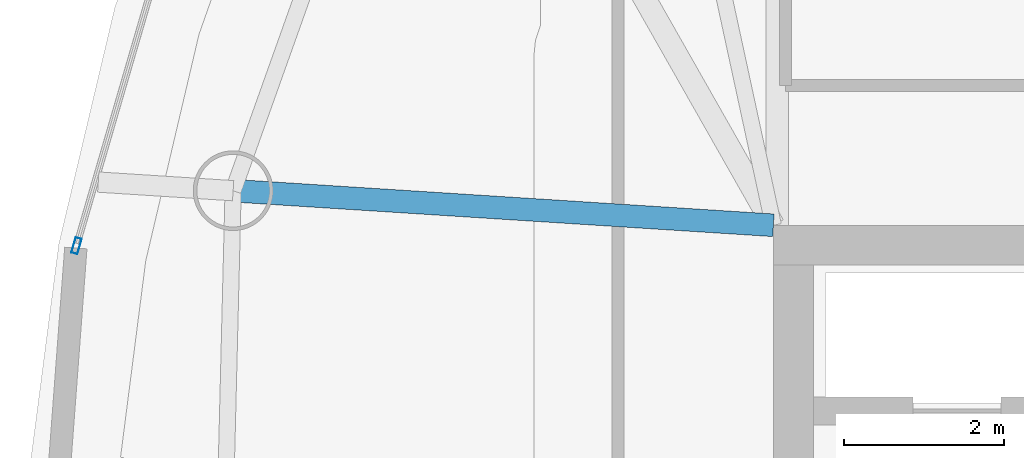
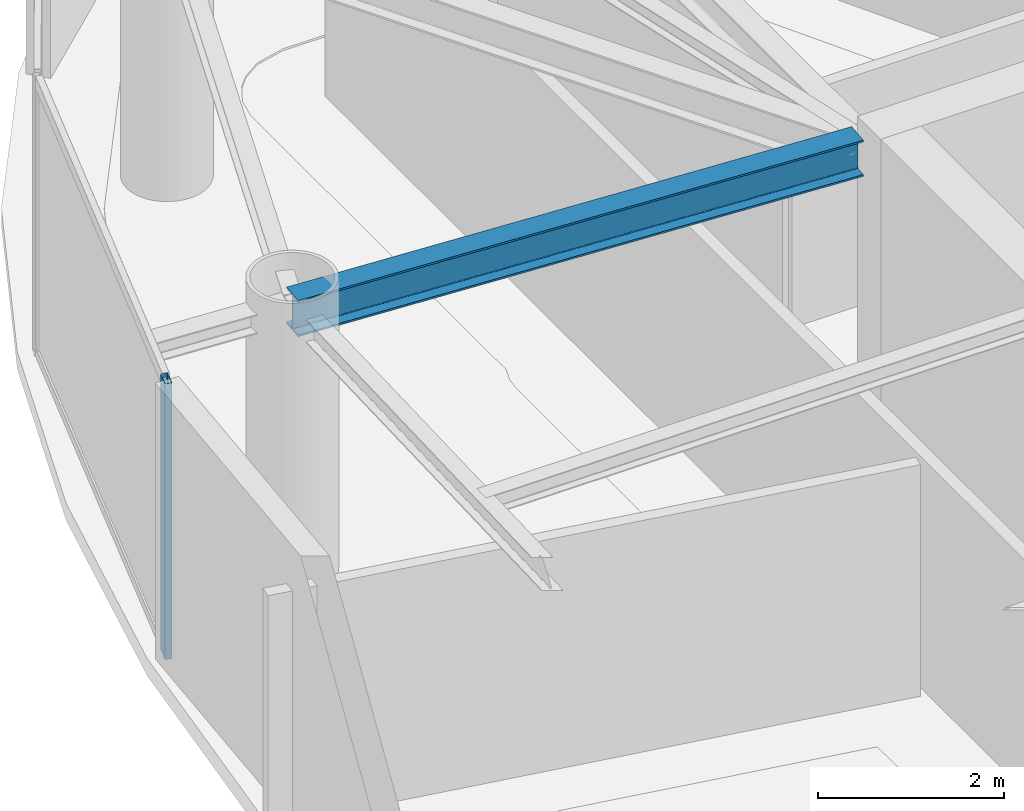
# One storey, part 6 of 20: 1 beam, 1 member, 1 element without a shape of its own.
"""IFC4 building model written with IfcOpenShell, lengths in metres."""

import ifcopenshell
import ifcopenshell.guid

model = None  # the IFC model being written
_history = None  # IfcOwnerHistory: only IFC2X3 demands one
_inside = {}  # id of a spatial element -> (the spatial element, [elements in it])
_under = {}  # id of a project, library or spatial element -> (it, [spatial elements below it])
_declared = {}  # id of a project -> (the project, [libraries it declares])
_typed = {}  # id of a type object -> (the type object, [elements of that type])
_made_of = {}  # id of a material, layer set ... -> (it, [elements and type objects made of it])


def new_model(schema):
    """Start an empty IFC model of exactly this schema.

    Asked for "IFC4X3", IfcOpenShell would pick the latest addendum, in which some entities
    have other attributes; the version numbers below select the first issue.
    IFC2X3 requires an IfcOwnerHistory on every rooted entity: one is made here for all.
    """
    global model, _history
    if schema == "IFC4X3":
        model = ifcopenshell.file(schema_version=(4, 3, 0, 0))
    else:
        model = ifcopenshell.file(schema=schema)
    _inside.clear()
    _under.clear()
    _declared.clear()
    _typed.clear()
    _made_of.clear()
    _history = None
    if model.schema == "IFC2X3":
        org = make("IfcOrganization", Name="unknown")
        user = make(
            "IfcPersonAndOrganization",
            ThePerson=make("IfcPerson", FamilyName="unknown"),
            TheOrganization=org,
        )
        app = make(
            "IfcApplication",
            ApplicationDeveloper=org,
            Version="unknown",
            ApplicationFullName="unknown",
            ApplicationIdentifier="unknown",
        )
        _history = make(
            "IfcOwnerHistory",
            OwningUser=user,
            OwningApplication=app,
            ChangeAction="ADDED",
            CreationDate=0,
        )
    return model


def make(cls, **values):
    """One entity of the class cls with the attributes given. An attribute that is None is left unset."""
    return model.create_entity(
        cls, **{name: value for name, value in values.items() if value is not None}
    )


def rooted(cls, **values):
    """An entity with a GlobalId (a new one), such as an element, a storey or a relation."""
    return make(cls, GlobalId=ifcopenshell.guid.new(), OwnerHistory=_history, **values)


def si_unit(unit_type, name, prefix=None):
    """IfcSIUnit, for example si_unit("LENGTHUNIT", "METRE", prefix="MILLI")."""
    return make("IfcSIUnit", UnitType=unit_type, Prefix=prefix, Name=name)


def assignment(units):
    """IfcUnitAssignment: the units of a project."""
    return None if units is None else make("IfcUnitAssignment", Units=units)


def point(xyz):
    """IfcCartesianPoint."""
    return None if xyz is None else make("IfcCartesianPoint", Coordinates=xyz)


def direction(xyz):
    """IfcDirection."""
    return None if xyz is None else make("IfcDirection", DirectionRatios=xyz)


def frame(location, z_axis=None, x_axis=None):
    """IfcAxis2Placement3D, a coordinate frame: its origin and axes. An axis left out is left unset."""
    return make(
        "IfcAxis2Placement3D",
        Location=point(location),
        Axis=direction(z_axis),
        RefDirection=direction(x_axis),
    )


def frame_2d(location, x_axis=None):
    """IfcAxis2Placement2D, a coordinate frame in the plane: its origin and x axis."""
    return make(
        "IfcAxis2Placement2D", Location=point(location), RefDirection=direction(x_axis)
    )


def origin():
    """The frame at (0, 0, 0) with its axes left unset."""
    return frame((0.0, 0.0, 0.0))


def origin_2d():
    """The frame at (0, 0) in the plane with its x axis left unset."""
    return frame_2d((0.0, 0.0))


def place(relative_to, where):
    """IfcLocalPlacement: puts the frame where relative to a parent placement (None: the world)."""
    return make(
        "IfcLocalPlacement", PlacementRelTo=relative_to, RelativePlacement=where
    )


def context(
    kind, dimensions, precision=None, world=None, true_north=None, identifier=None
):
    """IfcGeometricRepresentationContext, for example the 3D "Model" context."""
    return make(
        "IfcGeometricRepresentationContext",
        ContextIdentifier=identifier,
        ContextType=kind,
        CoordinateSpaceDimension=dimensions,
        Precision=precision,
        WorldCoordinateSystem=world,
        TrueNorth=true_north,
    )


def subcontext(parent, identifier, kind, view, scale=None):
    """IfcGeometricRepresentationSubContext, for example "Body" below "Model"."""
    return make(
        "IfcGeometricRepresentationSubContext",
        ContextIdentifier=identifier,
        ContextType=kind,
        ParentContext=parent,
        TargetScale=scale,
        TargetView=view,
    )


def project(units=None, contexts=None):
    """IfcProject with its units and contexts."""
    return rooted(
        "IfcProject",
        Name="project",
        RepresentationContexts=contexts,
        UnitsInContext=assignment(units),
    )


def spatial(cls, under=None, at=None, **own):
    """A site, building, storey or space (cls), placed at a placement, below another one or the project."""
    s = rooted(cls, ObjectPlacement=at, **own)
    if under is not None:
        _under.setdefault(under.id(), (under, []))[1].append(s)
    return s


def profile(cls, at=None, kind="AREA", **sizes):
    """A parametric profile (cls). Its sizes go by their IFC names, for example OverallWidth=200.0."""
    return make(cls, ProfileType=kind, Position=at, **sizes)


def hollow_rectangle(**sizes):
    """IfcRectangleHollowProfileDef."""
    return profile("IfcRectangleHollowProfileDef", **sizes)


def i_section(**sizes):
    """IfcIShapeProfileDef."""
    return profile("IfcIShapeProfileDef", **sizes)


def extrude(swept, where, along, depth):
    """IfcExtrudedAreaSolid: the profile swept, set in the frame where, extruded along a direction by depth."""
    return make(
        "IfcExtrudedAreaSolid",
        SweptArea=swept,
        Position=where,
        ExtrudedDirection=direction(along),
        Depth=depth,
    )


def shape(context_of_items, identifier, shape_type, items):
    """IfcShapeRepresentation: the items that make up one representation, for example the "Body"."""
    return make(
        "IfcShapeRepresentation",
        ContextOfItems=context_of_items,
        RepresentationIdentifier=identifier,
        RepresentationType=shape_type,
        Items=items,
    )


def material(Name=None, Category=None):
    """IfcMaterial."""
    return make("IfcMaterial", Name=Name, Category=Category)


def layer(
    of_material, thickness, ventilated=None, Name=None, Category=None, Priority=None
):
    """IfcMaterialLayer: one layer of a wall or slab, of a material (None: an air gap)."""
    return make(
        "IfcMaterialLayer",
        Material=of_material,
        LayerThickness=thickness,
        IsVentilated=ventilated,
        Name=Name,
        Category=Category,
        Priority=Priority,
    )


def layer_set(layers, Name=None):
    """IfcMaterialLayerSet."""
    return make("IfcMaterialLayerSet", MaterialLayers=layers, LayerSetName=Name)


def material_profile(
    of_material, cross_section, Name=None, Category=None, Priority=None
):
    """IfcMaterialProfile: a cross section and its material."""
    return make(
        "IfcMaterialProfile",
        Name=Name,
        Material=of_material,
        Profile=cross_section,
        Priority=Priority,
        Category=Category,
    )


def profile_set(profiles, Name=None, composite=None):
    """IfcMaterialProfileSet."""
    return make(
        "IfcMaterialProfileSet",
        Name=Name,
        MaterialProfiles=profiles,
        CompositeProfile=composite,
    )


def made_of(thing, what):
    """Note that an element or type object is made of a material, layer set ...; save() writes the relation."""
    if what is not None:
        _made_of.setdefault(what.id(), (what, []))[1].append(thing)
    return thing


def type_object(cls, material=None, **own):
    """A type object (cls), such as IfcWallType, which elements share."""
    return made_of(rooted(cls, **own), material)


def element(
    cls,
    number,
    at=None,
    inside=None,
    cuts=None,
    type_object=None,
    material=None,
    context=None,
    identifier="Body",
    shape_type=None,
    held_by="IfcProductDefinitionShape",
    body=None,
    shapes=None,
    **own,
):
    """One element of the class cls, such as IfcWall. Its Tag is "e" and its number.

    at: its placement. inside: the storey or other place that contains it. cuts: it is an
    opening in that element (IfcRelVoidsElement). A single representation is given by context,
    identifier, shape_type and body (its items); several are given by shapes. held_by: the class
    of the entity that holds the representations. save() writes the other relations.
    """
    e = rooted(cls, Tag="e%d" % number, ObjectPlacement=at, **own)
    if body is not None:
        shapes = [shape(context, identifier, shape_type, body)]
    if shapes is not None:
        e.Representation = make(held_by, Representations=shapes)
    if inside is not None:
        _inside.setdefault(inside.id(), (inside, []))[1].append(e)
    if cuts is not None:
        rooted(
            "IfcRelVoidsElement", RelatingBuildingElement=cuts, RelatedOpeningElement=e
        )
    if type_object is not None:
        _typed.setdefault(type_object.id(), (type_object, []))[1].append(e)
    return made_of(e, material)


def aggregate(whole, parts):
    """IfcRelAggregates: a whole, such as a stair, and the parts it consists of."""
    return rooted("IfcRelAggregates", RelatingObject=whole, RelatedObjects=parts)


def save(model, path):
    """Write the relations noted so far, then the file.

    IfcRelAggregates (storeys below a building ...), IfcRelContainedInSpatialStructure (elements
    in a storey), IfcRelDefinesByType, IfcRelAssociatesMaterial and IfcRelDeclares: one each for
    every whole, place, type object, material and project.
    """
    for whole, parts in _under.values():
        aggregate(whole, parts)
    for where, things in _inside.values():
        rooted(
            "IfcRelContainedInSpatialStructure",
            RelatedElements=things,
            RelatingStructure=where,
        )
    for kind, things in _typed.values():
        rooted("IfcRelDefinesByType", RelatedObjects=things, RelatingType=kind)
    for what, things in _made_of.values():
        rooted("IfcRelAssociatesMaterial", RelatedObjects=things, RelatingMaterial=what)
    for by, libraries in _declared.values():
        rooted("IfcRelDeclares", RelatingContext=by, RelatedDefinitions=libraries)
    model.write(path)


model = new_model("IFC4")

# Units and contexts
model_context = context("Model", 3, precision=1e-05, world=origin(), true_north=direction((0.0, 1.0)))
body_context = subcontext(model_context, "Body", "Model", "MODEL_VIEW")
ifc_project = project(units=[si_unit("LENGTHUNIT", "METRE"), si_unit("AREAUNIT", "SQUARE_METRE"), si_unit("VOLUMEUNIT", "CUBIC_METRE"), si_unit("PLANEANGLEUNIT", "RADIAN"), si_unit("MASSUNIT", "GRAM", prefix="KILO")], contexts=[model_context])

# Site, building, storey
site_placement = place(None, origin())
site = spatial("IfcSite", under=ifc_project, at=site_placement, CompositionType="ELEMENT")
building_placement = place(site_placement, origin())
building = spatial("IfcBuilding", under=site, at=building_placement, Name="Bramvorn Convention Spire", CompositionType="ELEMENT")
storey_placement = place(building_placement, frame((0.0, 0.0, 269.0)))
storey = spatial("IfcBuildingStorey", under=building, at=storey_placement, Name="L68", CompositionType="ELEMENT", Elevation=269.0)

# Beam
ifc_material_1 = material(Name="Steel CSA G40.21 Grade 350 (350W)", Category="steel")
ifc_material_profile_1 = material_profile(ifc_material_1, i_section(OverallWidth=0.283935546875, OverallDepth=0.47607421875, WebThickness=0.014892578125, FlangeThickness=0.02392578125, FilletRadius=0.01806640625, at=origin_2d()))
ifc_profile_set_1 = profile_set([ifc_material_profile_1], Name="Steel CSA G40.21 Grade 350 (350W) - W460X158")
beam_type = type_object("IfcBeamType", Name="BM-W460X158", PredefinedType="SPANDREL", material=ifc_profile_set_1)
beam_placement = place(storey_placement, frame((26.75, 33.449951171875, 3.386962890625), z_axis=(-0.997957536354, 0.063880792379, 0.0), x_axis=(-0.063880792379, -0.997957536354, 0.0)))
element("IfcBeam", 1, at=beam_placement, inside=storey, type_object=beam_type, Name="L68 radial floor girder MC11", PredefinedType="SPANDREL", context=body_context, shape_type="SweptSolid", body=[
    extrude(i_section(OverallWidth=0.283935546875, OverallDepth=0.47607421875, WebThickness=0.014892578125, FlangeThickness=0.02392578125, FilletRadius=0.01806640625, at=origin_2d()), origin(), (0.0, 0.0, 1.0), 6.78759765625),
])

# Curtain wall, member
ifc_material_2 = material(Name="Anodised Bronze Unitised Curtain Wall", Category="aluminium")
ifc_layer = layer(ifc_material_2, 0.179931640625)
ifc_layer_set = layer_set([ifc_layer], Name="Anodised Bronze Unitised Curtain Wall - CW-OFF-FRIT")
curtain_wall_type = type_object("IfcCurtainWallType", Name="CW-OFF-FRIT", PredefinedType="USERDEFINED", material=ifc_layer_set)
curtain_wall_placement = place(storey_placement, origin())
curtain_wall = element("IfcCurtainWall", 2, at=curtain_wall_placement, inside=storey, type_object=curtain_wall_type, Name="L68 fritted glass curtain wall 15", ObjectType="UNITISED CURTAIN WALL", PredefinedType="USERDEFINED")
ifc_material_3 = material(Name="Anodised Bronze Aluminium 6063-T6", Category="aluminium")
ifc_material_profile_2 = material_profile(ifc_material_3, hollow_rectangle(XDim=0.080078125, YDim=0.199951171875, WallThickness=0.00390625, InnerFilletRadius=0.0009765625, OuterFilletRadius=0.00390625, at=origin_2d()))
ifc_profile_set_2 = profile_set([ifc_material_profile_2], Name="Anodised Bronze Aluminium 6063-T6 - CWM80X200")
member_type = type_object("IfcMemberType", Name="CW-MUL-180", PredefinedType="MULLION", material=ifc_profile_set_2)
member_placement = place(storey_placement, frame((18.0126953125, 33.193603515625, 0.0), z_axis=(0.0, 0.0, 1.0), x_axis=(-0.96001968369, 0.279932504237, 0.0)))
member = element("IfcMember", 3, at=member_placement, type_object=member_type, Name="CW3 mullion 1", PredefinedType="MULLION", context=body_context, shape_type="SweptSolid", body=[
    extrude(hollow_rectangle(XDim=0.080078125, YDim=0.199951171875, WallThickness=0.00390625, InnerFilletRadius=0.0009765625, OuterFilletRadius=0.00390625, at=origin_2d()), origin(), (0.0, 0.0, 1.0), 3.625),
])
aggregate(curtain_wall, [member])

save(model, "model.ifc")
